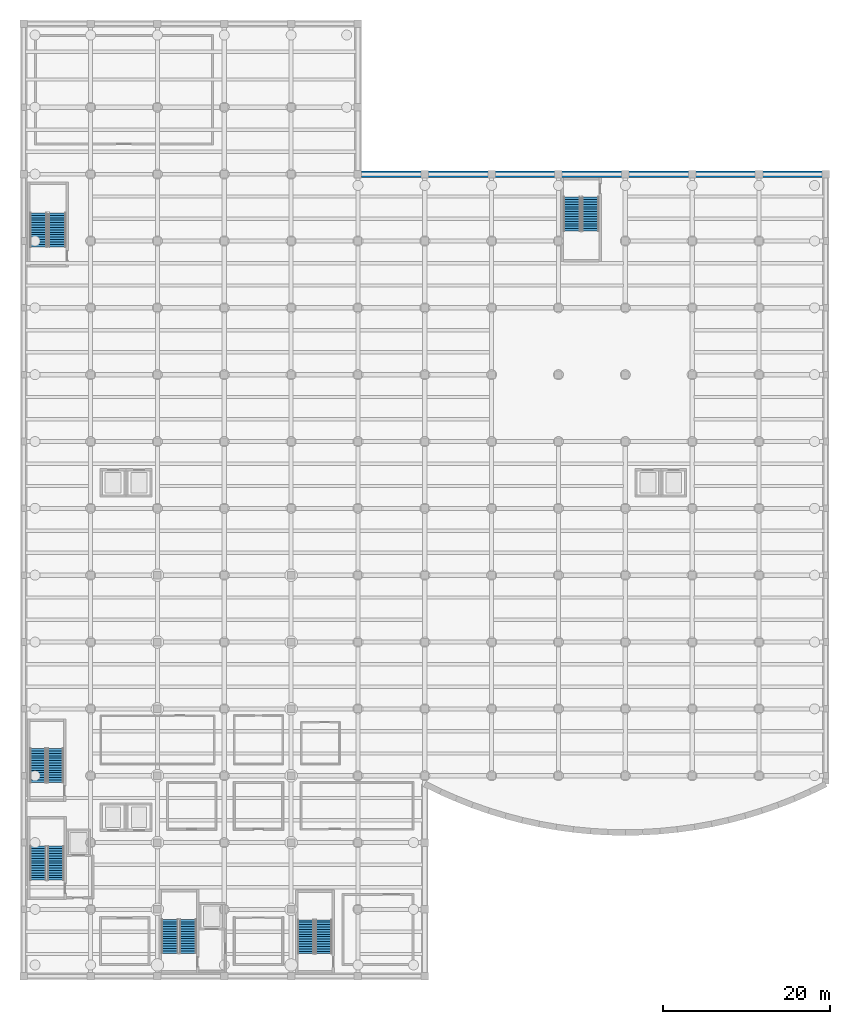
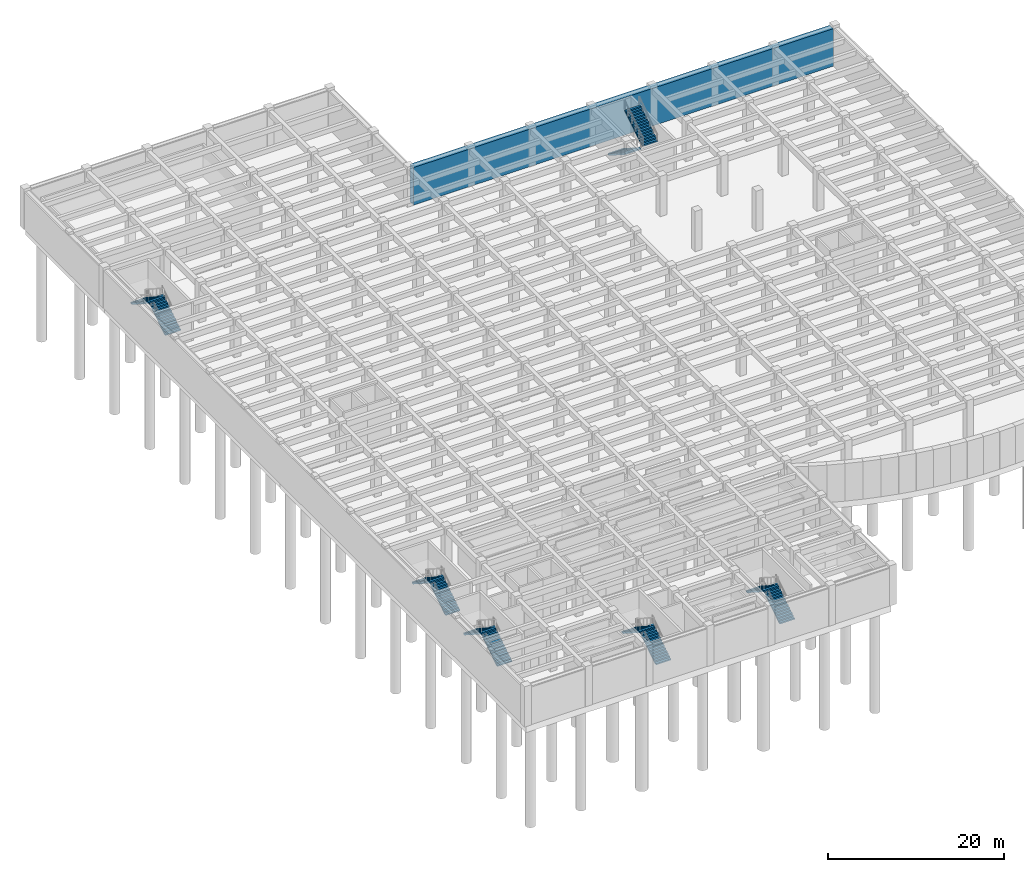
# One storey, part 12 of 18: 12 stair flights, 1 wall, 6 elements without a shape of their own.
"""IFC4 building model written with IfcOpenShell, lengths in metres."""

from ifc_helpers import new_model, si_unit, direction, frame, frame_2d, origin, place, context, subcontext, project, spatial, polyline, rectangle, outline, extrude, material, layer, layer_set, type_object, element, aggregate, save


model = new_model("IFC4")

# Units and contexts
model_context = context("Model", 3, precision=1e-05, world=origin(), true_north=direction((0.0, 1.0)))
body_context = subcontext(model_context, "Body", "Model", "MODEL_VIEW")
ifc_project = project(units=[si_unit("LENGTHUNIT", "METRE"), si_unit("AREAUNIT", "SQUARE_METRE"), si_unit("VOLUMEUNIT", "CUBIC_METRE"), si_unit("PLANEANGLEUNIT", "RADIAN"), si_unit("MASSUNIT", "GRAM", prefix="KILO")], contexts=[model_context])

# Site, building, storey
site_placement = place(None, origin())
site = spatial("IfcSite", under=ifc_project, at=site_placement, CompositionType="ELEMENT")
building_placement = place(site_placement, origin())
building = spatial("IfcBuilding", under=site, at=building_placement, Name="Drelvath Fold Interchange", CompositionType="ELEMENT")
storey_placement = place(building_placement, frame((0.0, 0.0, -11.199951171875)))
storey = spatial("IfcBuildingStorey", under=building, at=storey_placement, Name="B2", CompositionType="ELEMENT", Elevation=-11.199951171875)

# Wall
ifc_material_1 = material(Name="Concrete f'c 45 MPa (6500 psi)", Category="concrete")
ifc_layer = layer(ifc_material_1, 0.800048828125, Name="Concrete f'c 45 MPa (6500 psi)")
ifc_layer_set = layer_set([ifc_layer], Name="Concrete f'c 45 MPa (6500 psi)")
wall_type = type_object("IfcWallType", Name="WL-DW800", PredefinedType="SOLIDWALL", material=ifc_layer_set)
wall_placement = place(storey_placement, frame((44.39990234375, 99.0, 0.0), z_axis=(0.0, 0.0, 1.0), x_axis=(1.0, 0.0, 0.0)))
element("IfcWall", 1, at=wall_placement, inside=storey, type_object=wall_type, Name="B2 diaphragm wall 4", PredefinedType="SOLIDWALL", context=body_context, shape_type="SweptSolid", body=[
    extrude(rectangle(XDim=55.2001953125, YDim=0.800048828125, at=frame_2d((27.60009765625, 0.0))), origin(), (0.0, 0.0, 1.0), 5.219970703125),
])

# Stair, stair flights
ifc_material_2 = material(Name="Concrete f'c 35 MPa (5000 psi)", Category="concrete")
stair_type_1 = type_object("IfcStairType", Name="STR-01", PredefinedType="HALF_TURN_STAIR", material=ifc_material_2)
stair_1_placement = place(storey_placement, origin())
stair_1 = element("IfcStair", 2, at=stair_1_placement, inside=storey, type_object=stair_type_1, Name="B2 Protected Exit Stair ST-01", PredefinedType="HALF_TURN_STAIR")
stair_flight_type_1 = type_object("IfcStairFlightType", Name="STF-01", PredefinedType="STRAIGHT", material=ifc_material_2)
stair_flight_1_placement = place(storey_placement, frame((7.844970703125, 14.5, 0.0), z_axis=(0.0, 0.0, 1.0), x_axis=(0.0, 1.0, 0.0)))
stair_flight_1 = element("IfcStairFlight", 3, at=stair_flight_1_placement, type_object=stair_flight_type_1, Name="ST-01 flight 1", NumberOfRisers=15, NumberOfTreads=14, PredefinedType="STRAIGHT", RiserHeight=0.186666667, TreadLength=0.29, context=body_context, shape_type="SweptSolid", body=[
    extrude(outline(polyline([(0.0, 0.0), (0.0, 0.186767578125), (0.2900390625, 0.186767578125), (0.2900390625, 0.373291015625), (0.580078125, 0.373291015625), (0.580078125, 0.56005859375), (0.8701171875, 0.56005859375), (0.8701171875, 0.74658203125), (1.159912109375, 0.74658203125), (1.159912109375, 0.933349609375), (1.449951171875, 0.933349609375), (1.449951171875, 1.1201171875), (1.739990234375, 1.1201171875), (1.739990234375, 1.306640625), (2.030029296875, 1.306640625), (2.030029296875, 1.493408203125), (2.320068359375, 1.493408203125), (2.320068359375, 1.679931640625), (2.610107421875, 1.679931640625), (2.610107421875, 1.86669921875), (2.89990234375, 1.86669921875), (2.89990234375, 2.05322265625), (3.18994140625, 2.05322265625), (3.18994140625, 2.239990234375), (3.47998046875, 2.239990234375), (3.47998046875, 2.4267578125), (3.77001953125, 2.4267578125), (3.77001953125, 2.61328125), (4.06005859375, 2.61328125), (4.06005859375, 2.800048828125), (4.06005859375, 2.43505859375), (0.27685546875, 0.0), (0.0, 0.0)])), frame((0.0, 0.96484375, 0.0), z_axis=(0.0, -1.0, 0.0), x_axis=(1.0, 0.0, 0.0)), (0.0, 0.0, 1.0), 1.929931640625),
])
stair_flight_2_placement = place(storey_placement, frame((5.715087890625, 18.56005859375, 2.800048828125), z_axis=(0.0, 0.0, 1.0), x_axis=(0.0, -1.0, 0.0)))
stair_flight_2 = element("IfcStairFlight", 4, at=stair_flight_2_placement, type_object=stair_flight_type_1, Name="ST-01 flight 2", NumberOfRisers=15, NumberOfTreads=14, PredefinedType="STRAIGHT", RiserHeight=0.186666667, TreadLength=0.29, context=body_context, shape_type="SweptSolid", body=[
    extrude(outline(polyline([(0.0, 0.0), (0.0, 0.186767578125), (0.2900390625, 0.186767578125), (0.2900390625, 0.373291015625), (0.580078125, 0.373291015625), (0.580078125, 0.56005859375), (0.8701171875, 0.56005859375), (0.8701171875, 0.74658203125), (1.159912109375, 0.74658203125), (1.159912109375, 0.933349609375), (1.449951171875, 0.933349609375), (1.449951171875, 1.1201171875), (1.739990234375, 1.1201171875), (1.739990234375, 1.306640625), (2.030029296875, 1.306640625), (2.030029296875, 1.493408203125), (2.320068359375, 1.493408203125), (2.320068359375, 1.679931640625), (2.610107421875, 1.679931640625), (2.610107421875, 1.86669921875), (2.89990234375, 1.86669921875), (2.89990234375, 2.05322265625), (3.18994140625, 2.05322265625), (3.18994140625, 2.239990234375), (3.47998046875, 2.239990234375), (3.47998046875, 2.4267578125), (3.77001953125, 2.4267578125), (3.77001953125, 2.61328125), (4.06005859375, 2.61328125), (4.06005859375, 2.800048828125), (4.06005859375, 2.43505859375), (0.27685546875, 0.0), (0.0, 0.0)])), frame((0.0, 0.96484375, 0.0), z_axis=(0.0, -1.0, 0.0), x_axis=(1.0, 0.0, 0.0)), (0.0, 0.0, 1.0), 1.929931640625),
])
aggregate(stair_1, [stair_flight_1, stair_flight_2])

stair_type_2 = type_object("IfcStairType", Name="STR-02", PredefinedType="HALF_TURN_STAIR", material=ifc_material_2)
stair_2_placement = place(storey_placement, origin())
stair_2 = element("IfcStair", 5, at=stair_2_placement, inside=storey, type_object=stair_type_2, Name="B2 Protected Exit Stair ST-02", PredefinedType="HALF_TURN_STAIR")
stair_flight_type_2 = type_object("IfcStairFlightType", Name="STF-02", PredefinedType="STRAIGHT", material=ifc_material_2)
stair_flight_3_placement = place(storey_placement, frame((7.784912109375, 26.199951171875, 0.0), z_axis=(0.0, 0.0, 1.0), x_axis=(0.0, 1.0, 0.0)))
stair_flight_3 = element("IfcStairFlight", 6, at=stair_flight_3_placement, type_object=stair_flight_type_2, Name="ST-02 flight 1", NumberOfRisers=15, NumberOfTreads=14, PredefinedType="STRAIGHT", RiserHeight=0.186666667, TreadLength=0.29, context=body_context, shape_type="SweptSolid", body=[
    extrude(outline(polyline([(0.0, 0.0), (0.0, 0.186767578125), (0.2900390625, 0.186767578125), (0.2900390625, 0.373291015625), (0.580078125, 0.373291015625), (0.580078125, 0.56005859375), (0.8701171875, 0.56005859375), (0.8701171875, 0.74658203125), (1.159912109375, 0.74658203125), (1.159912109375, 0.933349609375), (1.449951171875, 0.933349609375), (1.449951171875, 1.1201171875), (1.739990234375, 1.1201171875), (1.739990234375, 1.306640625), (2.030029296875, 1.306640625), (2.030029296875, 1.493408203125), (2.320068359375, 1.493408203125), (2.320068359375, 1.679931640625), (2.610107421875, 1.679931640625), (2.610107421875, 1.86669921875), (2.89990234375, 1.86669921875), (2.89990234375, 2.05322265625), (3.18994140625, 2.05322265625), (3.18994140625, 2.239990234375), (3.47998046875, 2.239990234375), (3.47998046875, 2.4267578125), (3.77001953125, 2.4267578125), (3.77001953125, 2.61328125), (4.06005859375, 2.61328125), (4.06005859375, 2.800048828125), (4.06005859375, 2.43505859375), (0.27685546875, 0.0), (0.0, 0.0)])), frame((0.0, 0.94482421875, 0.0), z_axis=(0.0, -1.0, 0.0), x_axis=(1.0, 0.0, 0.0)), (0.0, 0.0, 1.0), 1.889892578125),
])
stair_flight_4_placement = place(storey_placement, frame((5.695068359375, 30.260009765625, 2.800048828125), z_axis=(0.0, 0.0, 1.0), x_axis=(0.0, -1.0, 0.0)))
stair_flight_4 = element("IfcStairFlight", 7, at=stair_flight_4_placement, type_object=stair_flight_type_2, Name="ST-02 flight 2", NumberOfRisers=15, NumberOfTreads=14, PredefinedType="STRAIGHT", RiserHeight=0.186666667, TreadLength=0.29, context=body_context, shape_type="SweptSolid", body=[
    extrude(outline(polyline([(0.0, 0.0), (0.0, 0.186767578125), (0.2900390625, 0.186767578125), (0.2900390625, 0.373291015625), (0.580078125, 0.373291015625), (0.580078125, 0.56005859375), (0.8701171875, 0.56005859375), (0.8701171875, 0.74658203125), (1.159912109375, 0.74658203125), (1.159912109375, 0.933349609375), (1.449951171875, 0.933349609375), (1.449951171875, 1.1201171875), (1.739990234375, 1.1201171875), (1.739990234375, 1.306640625), (2.030029296875, 1.306640625), (2.030029296875, 1.493408203125), (2.320068359375, 1.493408203125), (2.320068359375, 1.679931640625), (2.610107421875, 1.679931640625), (2.610107421875, 1.86669921875), (2.89990234375, 1.86669921875), (2.89990234375, 2.05322265625), (3.18994140625, 2.05322265625), (3.18994140625, 2.239990234375), (3.47998046875, 2.239990234375), (3.47998046875, 2.4267578125), (3.77001953125, 2.4267578125), (3.77001953125, 2.61328125), (4.06005859375, 2.61328125), (4.06005859375, 2.800048828125), (4.06005859375, 2.43505859375), (0.27685546875, 0.0), (0.0, 0.0)])), frame((0.0, 0.94482421875, 0.0), z_axis=(0.0, -1.0, 0.0), x_axis=(1.0, 0.0, 0.0)), (0.0, 0.0, 1.0), 1.889892578125),
])
aggregate(stair_2, [stair_flight_3, stair_flight_4])

stair_type_3 = type_object("IfcStairType", Name="STR-03", PredefinedType="HALF_TURN_STAIR", material=ifc_material_2)
stair_3_placement = place(storey_placement, origin())
stair_3 = element("IfcStair", 8, at=stair_3_placement, inside=storey, type_object=stair_type_3, Name="B2 Protected Exit Stair ST-03", PredefinedType="HALF_TURN_STAIR")
stair_flight_type_3 = type_object("IfcStairFlightType", Name="STF-03", PredefinedType="STRAIGHT", material=ifc_material_2)
stair_flight_5_placement = place(storey_placement, frame((23.669921875, 5.75, 0.0), z_axis=(0.0, 0.0, 1.0), x_axis=(0.0, 1.0, 0.0)))
stair_flight_5 = element("IfcStairFlight", 9, at=stair_flight_5_placement, type_object=stair_flight_type_3, Name="ST-03 flight 1", NumberOfRisers=15, NumberOfTreads=14, PredefinedType="STRAIGHT", RiserHeight=0.186666667, TreadLength=0.29, context=body_context, shape_type="SweptSolid", body=[
    extrude(outline(polyline([(0.0, 0.0), (0.0, 0.186767578125), (0.2900390625, 0.186767578125), (0.2900390625, 0.373291015625), (0.580078125, 0.373291015625), (0.580078125, 0.56005859375), (0.8701171875, 0.56005859375), (0.8701171875, 0.74658203125), (1.159912109375, 0.74658203125), (1.159912109375, 0.933349609375), (1.449951171875, 0.933349609375), (1.449951171875, 1.1201171875), (1.739990234375, 1.1201171875), (1.739990234375, 1.306640625), (2.030029296875, 1.306640625), (2.030029296875, 1.493408203125), (2.320068359375, 1.493408203125), (2.320068359375, 1.679931640625), (2.610107421875, 1.679931640625), (2.610107421875, 1.86669921875), (2.89990234375, 1.86669921875), (2.89990234375, 2.05322265625), (3.18994140625, 2.05322265625), (3.18994140625, 2.239990234375), (3.47998046875, 2.239990234375), (3.47998046875, 2.4267578125), (3.77001953125, 2.4267578125), (3.77001953125, 2.61328125), (4.06005859375, 2.61328125), (4.06005859375, 2.800048828125), (4.06005859375, 2.43505859375), (0.27685546875, 0.0), (0.0, 0.0)])), frame((0.0, 0.989990234375, 0.0), z_axis=(0.0, -1.0, 0.0), x_axis=(1.0, 0.0, 0.0)), (0.0, 0.0, 1.0), 1.97998046875),
])
stair_flight_6_placement = place(storey_placement, frame((21.489990234375, 9.81005859375, 2.800048828125), z_axis=(0.0, 0.0, 1.0), x_axis=(0.0, -1.0, 0.0)))
stair_flight_6 = element("IfcStairFlight", 10, at=stair_flight_6_placement, type_object=stair_flight_type_3, Name="ST-03 flight 2", NumberOfRisers=15, NumberOfTreads=14, PredefinedType="STRAIGHT", RiserHeight=0.186666667, TreadLength=0.29, context=body_context, shape_type="SweptSolid", body=[
    extrude(outline(polyline([(0.0, 0.0), (0.0, 0.186767578125), (0.2900390625, 0.186767578125), (0.2900390625, 0.373291015625), (0.580078125, 0.373291015625), (0.580078125, 0.56005859375), (0.8701171875, 0.56005859375), (0.8701171875, 0.74658203125), (1.159912109375, 0.74658203125), (1.159912109375, 0.933349609375), (1.449951171875, 0.933349609375), (1.449951171875, 1.1201171875), (1.739990234375, 1.1201171875), (1.739990234375, 1.306640625), (2.030029296875, 1.306640625), (2.030029296875, 1.493408203125), (2.320068359375, 1.493408203125), (2.320068359375, 1.679931640625), (2.610107421875, 1.679931640625), (2.610107421875, 1.86669921875), (2.89990234375, 1.86669921875), (2.89990234375, 2.05322265625), (3.18994140625, 2.05322265625), (3.18994140625, 2.239990234375), (3.47998046875, 2.239990234375), (3.47998046875, 2.4267578125), (3.77001953125, 2.4267578125), (3.77001953125, 2.61328125), (4.06005859375, 2.61328125), (4.06005859375, 2.800048828125), (4.06005859375, 2.43505859375), (0.27685546875, 0.0), (0.0, 0.0)])), frame((0.0, 0.989990234375, 0.0), z_axis=(0.0, -1.0, 0.0), x_axis=(1.0, 0.0, 0.0)), (0.0, 0.0, 1.0), 1.97998046875),
])
aggregate(stair_3, [stair_flight_5, stair_flight_6])

stair_type_4 = type_object("IfcStairType", Name="STR-04", PredefinedType="HALF_TURN_STAIR", material=ifc_material_2)
stair_4_placement = place(storey_placement, origin())
stair_4 = element("IfcStair", 11, at=stair_4_placement, inside=storey, type_object=stair_type_4, Name="B2 Protected Exit Stair ST-04", PredefinedType="HALF_TURN_STAIR")
stair_flight_type_4 = type_object("IfcStairFlightType", Name="STF-04", PredefinedType="STRAIGHT", material=ifc_material_2)
stair_flight_7_placement = place(storey_placement, frame((39.925048828125, 5.699951171875, 0.0), z_axis=(0.0, 0.0, 1.0), x_axis=(0.0, 1.0, 0.0)))
stair_flight_7 = element("IfcStairFlight", 12, at=stair_flight_7_placement, type_object=stair_flight_type_4, Name="ST-04 flight 1", NumberOfRisers=15, NumberOfTreads=14, PredefinedType="STRAIGHT", RiserHeight=0.186666667, TreadLength=0.29, context=body_context, shape_type="SweptSolid", body=[
    extrude(outline(polyline([(0.0, 0.0), (0.0, 0.186767578125), (0.2900390625, 0.186767578125), (0.2900390625, 0.373291015625), (0.580078125, 0.373291015625), (0.580078125, 0.56005859375), (0.8701171875, 0.56005859375), (0.8701171875, 0.74658203125), (1.159912109375, 0.74658203125), (1.159912109375, 0.933349609375), (1.449951171875, 0.933349609375), (1.449951171875, 1.1201171875), (1.739990234375, 1.1201171875), (1.739990234375, 1.306640625), (2.030029296875, 1.306640625), (2.030029296875, 1.493408203125), (2.320068359375, 1.493408203125), (2.320068359375, 1.679931640625), (2.610107421875, 1.679931640625), (2.610107421875, 1.86669921875), (2.89990234375, 1.86669921875), (2.89990234375, 2.05322265625), (3.18994140625, 2.05322265625), (3.18994140625, 2.239990234375), (3.47998046875, 2.239990234375), (3.47998046875, 2.4267578125), (3.77001953125, 2.4267578125), (3.77001953125, 2.61328125), (4.06005859375, 2.61328125), (4.06005859375, 2.800048828125), (4.06005859375, 2.43505859375), (0.27685546875, 0.0), (0.0, 0.0)])), frame((0.0, 0.97509765625, 0.0), z_axis=(0.0, -1.0, 0.0), x_axis=(1.0, 0.0, 0.0)), (0.0, 0.0, 1.0), 1.949951171875),
])
stair_flight_8_placement = place(storey_placement, frame((37.77490234375, 9.760009765625, 2.800048828125), z_axis=(0.0, 0.0, 1.0), x_axis=(0.0, -1.0, 0.0)))
stair_flight_8 = element("IfcStairFlight", 13, at=stair_flight_8_placement, type_object=stair_flight_type_4, Name="ST-04 flight 2", NumberOfRisers=15, NumberOfTreads=14, PredefinedType="STRAIGHT", RiserHeight=0.186666667, TreadLength=0.29, context=body_context, shape_type="SweptSolid", body=[
    extrude(outline(polyline([(0.0, 0.0), (0.0, 0.186767578125), (0.2900390625, 0.186767578125), (0.2900390625, 0.373291015625), (0.580078125, 0.373291015625), (0.580078125, 0.56005859375), (0.8701171875, 0.56005859375), (0.8701171875, 0.74658203125), (1.159912109375, 0.74658203125), (1.159912109375, 0.933349609375), (1.449951171875, 0.933349609375), (1.449951171875, 1.1201171875), (1.739990234375, 1.1201171875), (1.739990234375, 1.306640625), (2.030029296875, 1.306640625), (2.030029296875, 1.493408203125), (2.320068359375, 1.493408203125), (2.320068359375, 1.679931640625), (2.610107421875, 1.679931640625), (2.610107421875, 1.86669921875), (2.89990234375, 1.86669921875), (2.89990234375, 2.05322265625), (3.18994140625, 2.05322265625), (3.18994140625, 2.239990234375), (3.47998046875, 2.239990234375), (3.47998046875, 2.4267578125), (3.77001953125, 2.4267578125), (3.77001953125, 2.61328125), (4.06005859375, 2.61328125), (4.06005859375, 2.800048828125), (4.06005859375, 2.43505859375), (0.27685546875, 0.0), (0.0, 0.0)])), frame((0.0, 0.97509765625, 0.0), z_axis=(0.0, -1.0, 0.0), x_axis=(1.0, 0.0, 0.0)), (0.0, 0.0, 1.0), 1.949951171875),
])
aggregate(stair_4, [stair_flight_7, stair_flight_8])

stair_type_5 = type_object("IfcStairType", Name="STR-05", PredefinedType="HALF_TURN_STAIR", material=ifc_material_2)
stair_5_placement = place(storey_placement, origin())
stair_5 = element("IfcStair", 14, at=stair_5_placement, inside=storey, type_object=stair_type_5, Name="B2 Protected Exit Stair ST-05", PredefinedType="HALF_TURN_STAIR")
stair_flight_type_5 = type_object("IfcStairFlightType", Name="STF-05", PredefinedType="STRAIGHT", material=ifc_material_2)
stair_flight_9_placement = place(storey_placement, frame((8.010009765625, 90.300048828125, 0.0), z_axis=(0.0, 0.0, 1.0), x_axis=(0.0, 1.0, 0.0)))
stair_flight_9 = element("IfcStairFlight", 15, at=stair_flight_9_placement, type_object=stair_flight_type_5, Name="ST-05 flight 1", NumberOfRisers=15, NumberOfTreads=14, PredefinedType="STRAIGHT", RiserHeight=0.186666667, TreadLength=0.29, context=body_context, shape_type="SweptSolid", body=[
    extrude(outline(polyline([(0.0, 0.0), (0.0, 0.186767578125), (0.2900390625, 0.186767578125), (0.2900390625, 0.373291015625), (0.580078125, 0.373291015625), (0.580078125, 0.56005859375), (0.8701171875, 0.56005859375), (0.8701171875, 0.74658203125), (1.159912109375, 0.74658203125), (1.159912109375, 0.933349609375), (1.449951171875, 0.933349609375), (1.449951171875, 1.1201171875), (1.739990234375, 1.1201171875), (1.739990234375, 1.306640625), (2.030029296875, 1.306640625), (2.030029296875, 1.493408203125), (2.320068359375, 1.493408203125), (2.320068359375, 1.679931640625), (2.610107421875, 1.679931640625), (2.610107421875, 1.86669921875), (2.89990234375, 1.86669921875), (2.89990234375, 2.05322265625), (3.18994140625, 2.05322265625), (3.18994140625, 2.239990234375), (3.47998046875, 2.239990234375), (3.47998046875, 2.4267578125), (3.77001953125, 2.4267578125), (3.77001953125, 2.61328125), (4.06005859375, 2.61328125), (4.06005859375, 2.800048828125), (4.06005859375, 2.43505859375), (0.27685546875, 0.0), (0.0, 0.0)])), frame((0.0, 1.02001953125, 0.0), z_axis=(0.0, -1.0, 0.0), x_axis=(1.0, 0.0, 0.0)), (0.0, 0.0, 1.0), 2.0400390625),
])
stair_flight_10_placement = place(storey_placement, frame((5.77001953125, 94.360107421875, 2.800048828125), z_axis=(0.0, 0.0, 1.0), x_axis=(0.0, -1.0, 0.0)))
stair_flight_10 = element("IfcStairFlight", 16, at=stair_flight_10_placement, type_object=stair_flight_type_5, Name="ST-05 flight 2", NumberOfRisers=15, NumberOfTreads=14, PredefinedType="STRAIGHT", RiserHeight=0.186666667, TreadLength=0.29, context=body_context, shape_type="SweptSolid", body=[
    extrude(outline(polyline([(0.0, 0.0), (0.0, 0.186767578125), (0.2900390625, 0.186767578125), (0.2900390625, 0.373291015625), (0.580078125, 0.373291015625), (0.580078125, 0.56005859375), (0.8701171875, 0.56005859375), (0.8701171875, 0.74658203125), (1.159912109375, 0.74658203125), (1.159912109375, 0.933349609375), (1.449951171875, 0.933349609375), (1.449951171875, 1.1201171875), (1.739990234375, 1.1201171875), (1.739990234375, 1.306640625), (2.030029296875, 1.306640625), (2.030029296875, 1.493408203125), (2.320068359375, 1.493408203125), (2.320068359375, 1.679931640625), (2.610107421875, 1.679931640625), (2.610107421875, 1.86669921875), (2.89990234375, 1.86669921875), (2.89990234375, 2.05322265625), (3.18994140625, 2.05322265625), (3.18994140625, 2.239990234375), (3.47998046875, 2.239990234375), (3.47998046875, 2.4267578125), (3.77001953125, 2.4267578125), (3.77001953125, 2.61328125), (4.06005859375, 2.61328125), (4.06005859375, 2.800048828125), (4.06005859375, 2.43505859375), (0.27685546875, 0.0), (0.0, 0.0)])), frame((0.0, 1.02001953125, 0.0), z_axis=(0.0, -1.0, 0.0), x_axis=(1.0, 0.0, 0.0)), (0.0, 0.0, 1.0), 2.0400390625),
])
aggregate(stair_5, [stair_flight_9, stair_flight_10])

stair_type_6 = type_object("IfcStairType", Name="STR-06", PredefinedType="HALF_TURN_STAIR", material=ifc_material_2)
stair_6_placement = place(storey_placement, origin())
stair_6 = element("IfcStair", 17, at=stair_6_placement, inside=storey, type_object=stair_type_6, Name="B2 Protected Exit Stair ST-06", PredefinedType="HALF_TURN_STAIR")
stair_flight_type_6 = type_object("IfcStairFlightType", Name="STF-06", PredefinedType="STRAIGHT", material=ifc_material_2)
stair_flight_11_placement = place(storey_placement, frame((69.60498046875, 96.25, 0.0), z_axis=(0.0, 0.0, 1.0), x_axis=(0.0, -1.0, 0.0)))
stair_flight_11 = element("IfcStairFlight", 18, at=stair_flight_11_placement, type_object=stair_flight_type_6, Name="ST-06 flight 1", NumberOfRisers=15, NumberOfTreads=14, PredefinedType="STRAIGHT", RiserHeight=0.186666667, TreadLength=0.29, context=body_context, shape_type="SweptSolid", body=[
    extrude(outline(polyline([(0.0, 0.0), (0.0, 0.186767578125), (0.2900390625, 0.186767578125), (0.2900390625, 0.373291015625), (0.580078125, 0.373291015625), (0.580078125, 0.56005859375), (0.8701171875, 0.56005859375), (0.8701171875, 0.74658203125), (1.159912109375, 0.74658203125), (1.159912109375, 0.933349609375), (1.449951171875, 0.933349609375), (1.449951171875, 1.1201171875), (1.739990234375, 1.1201171875), (1.739990234375, 1.306640625), (2.030029296875, 1.306640625), (2.030029296875, 1.493408203125), (2.320068359375, 1.493408203125), (2.320068359375, 1.679931640625), (2.610107421875, 1.679931640625), (2.610107421875, 1.86669921875), (2.89990234375, 1.86669921875), (2.89990234375, 2.05322265625), (3.18994140625, 2.05322265625), (3.18994140625, 2.239990234375), (3.47998046875, 2.239990234375), (3.47998046875, 2.4267578125), (3.77001953125, 2.4267578125), (3.77001953125, 2.61328125), (4.06005859375, 2.61328125), (4.06005859375, 2.800048828125), (4.06005859375, 2.43505859375), (0.27685546875, 0.0), (0.0, 0.0)])), frame((0.0, 1.0048828125, 0.0), z_axis=(0.0, -1.0, 0.0), x_axis=(1.0, 0.0, 0.0)), (0.0, 0.0, 1.0), 2.010009765625),
])
stair_flight_12_placement = place(storey_placement, frame((71.81494140625, 92.18994140625, 2.800048828125), z_axis=(0.0, 0.0, 1.0), x_axis=(0.0, 1.0, 0.0)))
stair_flight_12 = element("IfcStairFlight", 19, at=stair_flight_12_placement, type_object=stair_flight_type_6, Name="ST-06 flight 2", NumberOfRisers=15, NumberOfTreads=14, PredefinedType="STRAIGHT", RiserHeight=0.186666667, TreadLength=0.29, context=body_context, shape_type="SweptSolid", body=[
    extrude(outline(polyline([(0.0, 0.0), (0.0, 0.186767578125), (0.2900390625, 0.186767578125), (0.2900390625, 0.373291015625), (0.580078125, 0.373291015625), (0.580078125, 0.56005859375), (0.8701171875, 0.56005859375), (0.8701171875, 0.74658203125), (1.159912109375, 0.74658203125), (1.159912109375, 0.933349609375), (1.449951171875, 0.933349609375), (1.449951171875, 1.1201171875), (1.739990234375, 1.1201171875), (1.739990234375, 1.306640625), (2.030029296875, 1.306640625), (2.030029296875, 1.493408203125), (2.320068359375, 1.493408203125), (2.320068359375, 1.679931640625), (2.610107421875, 1.679931640625), (2.610107421875, 1.86669921875), (2.89990234375, 1.86669921875), (2.89990234375, 2.05322265625), (3.18994140625, 2.05322265625), (3.18994140625, 2.239990234375), (3.47998046875, 2.239990234375), (3.47998046875, 2.4267578125), (3.77001953125, 2.4267578125), (3.77001953125, 2.61328125), (4.06005859375, 2.61328125), (4.06005859375, 2.800048828125), (4.06005859375, 2.43505859375), (0.27685546875, 0.0), (0.0, 0.0)])), frame((0.0, 1.0048828125, 0.0), z_axis=(0.0, -1.0, 0.0), x_axis=(1.0, 0.0, 0.0)), (0.0, 0.0, 1.0), 2.010009765625),
])
aggregate(stair_6, [stair_flight_11, stair_flight_12])

save(model, "model.ifc")
